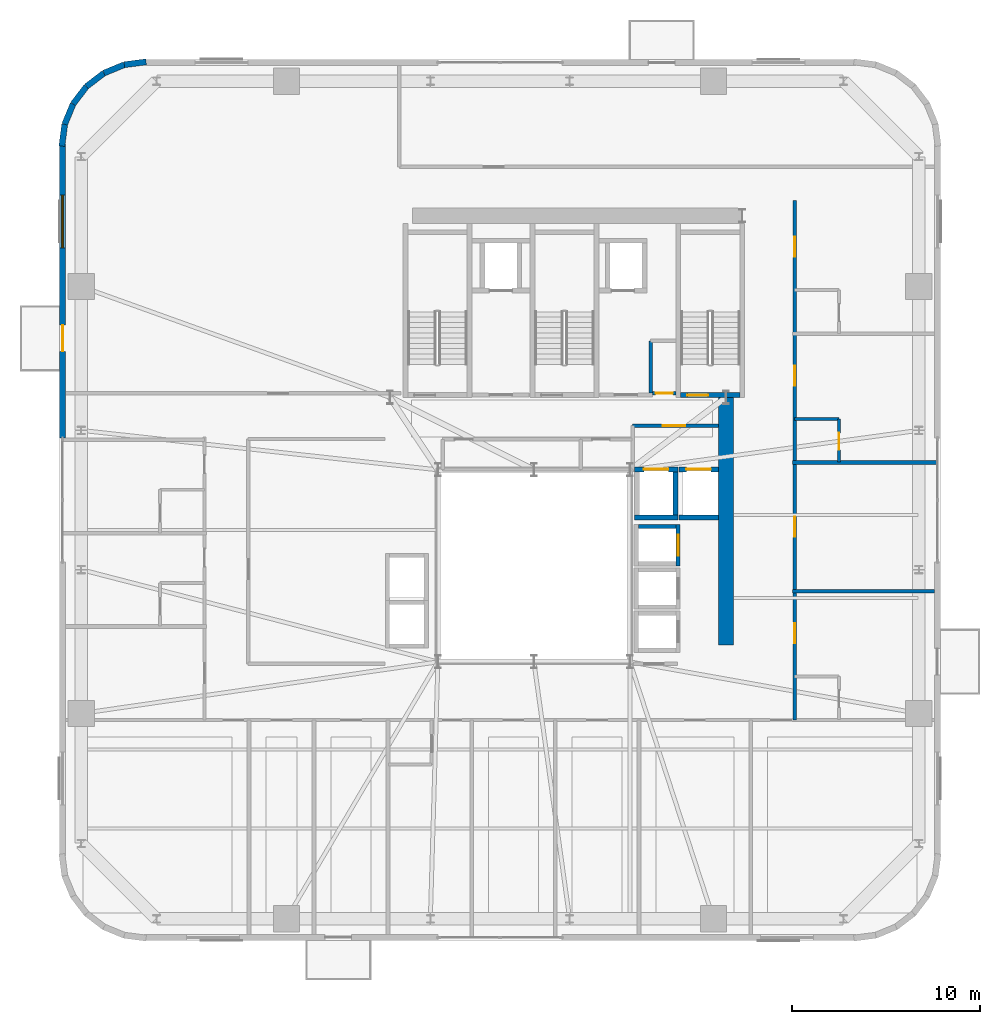
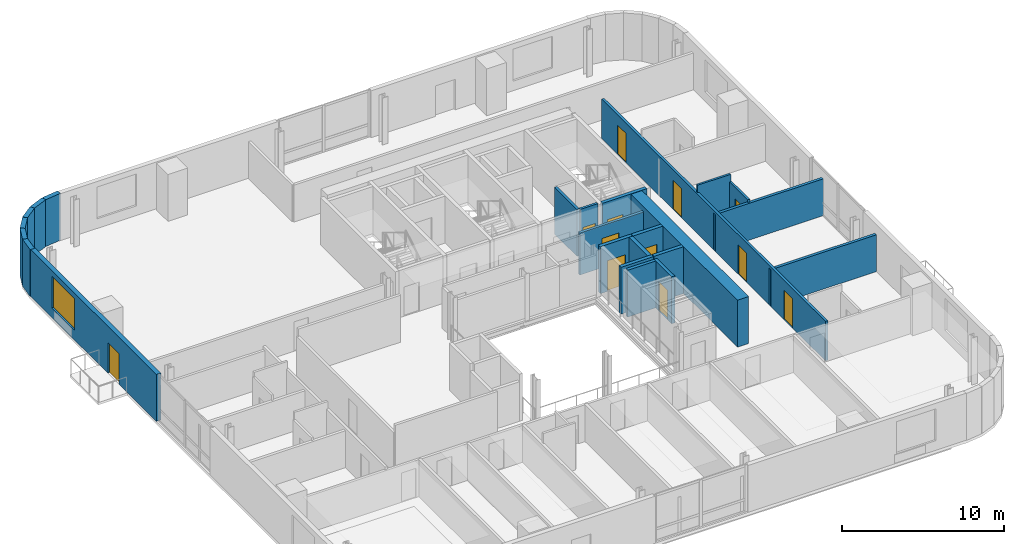
# One storey, part 10 of 16: 24 walls, 12 doors, 1 window, 13 openings.
"""IFC4 building model written with IfcOpenShell, lengths in metres."""

from ifc_helpers import new_model, si_unit, direction, frame, frame_2d, origin, place, context, subcontext, project, spatial, rectangle, extrude, source, transform, mapped, material, layer, layer_set, type_object, element, fill, save


model = new_model("IFC4")

# Units and contexts
model_context = context("Model", 3, precision=1e-05, world=origin(), true_north=direction((0.0, 1.0)))
body_context = subcontext(model_context, "Body", "Model", "MODEL_VIEW")
ifc_project = project(units=[si_unit("LENGTHUNIT", "METRE"), si_unit("AREAUNIT", "SQUARE_METRE"), si_unit("VOLUMEUNIT", "CUBIC_METRE"), si_unit("PLANEANGLEUNIT", "RADIAN"), si_unit("MASSUNIT", "GRAM", prefix="KILO")], contexts=[model_context])

# Site, building, storey
site_placement = place(None, origin())
site = spatial("IfcSite", under=ifc_project, at=site_placement, CompositionType="ELEMENT")
building_placement = place(site_placement, origin())
building = spatial("IfcBuilding", under=site, at=building_placement, Name="Vardaveli Station Tower", CompositionType="ELEMENT")
storey_placement = place(building_placement, frame((0.0, 0.0, 211.050048828125)))
storey = spatial("IfcBuildingStorey", under=building, at=storey_placement, Name="L54", CompositionType="ELEMENT", Elevation=211.050048828125)

# Wall
ifc_material_1 = material(Name="Concrete C50/60", Category="concrete")
ifc_layer_1 = layer(ifc_material_1, 0.800048828125, Name="Concrete C50/60")
ifc_layer_set_1 = layer_set([ifc_layer_1], Name="Concrete C50/60")
wall_type_1 = type_object("IfcWallType", Name="WAL-CORE-800", PredefinedType="SHEAR", material=ifc_layer_set_1)
shared_shape_1 = source(origin(), body_context, "Body", "SweptSolid", [
    extrude(rectangle(XDim=13.14990234375, YDim=0.800048828125, at=frame_2d((6.574951171875, 0.0))), origin(), (0.0, 0.0, 1.0), 3.530029296875),
])
wall_1_placement = place(storey_placement, frame((46.5, 17.5, 0.0), z_axis=(0.0, 0.0, 1.0), x_axis=(0.0, 1.0, 0.0)))
element("IfcWall", 1, at=wall_1_placement, inside=storey, type_object=wall_type_1, Name="SW-L54-EAST2", PredefinedType="SHEAR", context=body_context, shape_type="MappedRepresentation", body=[
    mapped(shared_shape_1, transform((0.0, 0.0, 0.0), scale=1.0)),
])

# Wall, openings, door, window
ifc_material_2 = material(Name="Precast concrete C45/55", Category="concrete")
ifc_layer_2 = layer(ifc_material_2, 0.320068359375, Name="Precast concrete C45/55")
ifc_layer_set_2 = layer_set([ifc_layer_2], Name="Precast concrete C45/55")
wall_type_2 = type_object("IfcWallType", Name="WAL-EXT-STONE-320", PredefinedType="SOLIDWALL", material=ifc_layer_set_2)
shared_shape_2 = source(origin(), body_context, "Body", "SweptSolid", [
    extrude(rectangle(XDim=15.60009765625, YDim=0.320068359375, at=frame_2d((7.800048828125, 0.0))), origin(), (0.0, 0.0, 1.0), 3.530029296875),
])
wall_2_placement = place(storey_placement, frame((11.260009765625, 44.10009765625, 0.0), z_axis=(0.0, 0.0, 1.0), x_axis=(0.0, -1.0, 0.0)))
wall_2 = element("IfcWall", 2, at=wall_2_placement, inside=storey, type_object=wall_type_2, Name="EW-L54-W1", PredefinedType="SOLIDWALL", context=body_context, shape_type="MappedRepresentation", body=[
    mapped(shared_shape_2, transform((0.0, 0.0, 0.0), scale=1.0)),
])
shared_shape_3 = source(origin(), body_context, "Body", "SweptSolid", [
    extrude(rectangle(XDim=1.39990234375, YDim=2.300048828125, at=frame_2d((0.699951171875, 1.14990234375))), frame((0.0, 0.169921875, 0.0), z_axis=(0.0, -1.0, 0.0), x_axis=(1.0, 0.0, 0.0)), (0.0, 0.0, 1.0), 0.340087890625),
])
opening_1_placement = place(wall_2_placement, frame((9.6103515625, 0.0, 0.0)))
opening_1 = element("IfcOpeningElement", 3, at=opening_1_placement, cuts=wall_2, Name="Opening D-09", PredefinedType="OPENING", context=body_context, shape_type="MappedRepresentation", body=[
    mapped(shared_shape_3, transform((0.0, 0.0, 0.0), scale=1.0)),
])
shared_shape_4 = source(origin(), body_context, "Body", "SweptSolid", [
    extrude(rectangle(XDim=2.800048828125, YDim=2.39990234375, at=frame_2d((1.39990234375, 1.199951171875))), frame((0.0, 0.169921875, 0.0), z_axis=(0.0, -1.0, 0.0), x_axis=(1.0, 0.0, 0.0)), (0.0, 0.0, 1.0), 0.340087890625),
])
opening_2_placement = place(wall_2_placement, frame((2.705078125, 0.0, 0.719970703125)))
opening_2 = element("IfcOpeningElement", 4, at=opening_2_placement, cuts=wall_2, Name="Opening W-04", PredefinedType="OPENING", context=body_context, shape_type="MappedRepresentation", body=[
    mapped(shared_shape_4, transform((0.0, 0.0, 0.0), scale=1.0)),
])
ifc_material_3 = material(Name="Thermally broken aluminium glass", Category="aluminium")
door_type_1 = type_object("IfcDoorType", Name="DR-LOG-1400x2300", OperationType="DOUBLE_DOOR_SLIDING", PredefinedType="DOOR", material=ifc_material_3)
shared_shape_5 = source(origin(), body_context, "Body", "SweptSolid", [
    extrude(rectangle(XDim=1.39990234375, YDim=2.300048828125, at=frame_2d((0.699951171875, 1.14990234375))), frame((0.0, 0.02490234375, 0.0), z_axis=(0.0, -1.0, 0.0), x_axis=(1.0, 0.0, 0.0)), (0.0, 0.0, 1.0), 0.050048828125),
])
door_1_placement = place(opening_1_placement, frame((1.39990234375, 0.0, 0.0), z_axis=(0.0, 0.0, 1.0), x_axis=(-1.0, 0.0, 0.0)))
door_1 = element("IfcDoor", 5, at=door_1_placement, inside=storey, type_object=door_type_1, Name="DLG-L54-W", OperationType="DOUBLE_DOOR_SLIDING", OverallHeight=2.300048828125, OverallWidth=1.39990234375, PredefinedType="DOOR", context=body_context, shape_type="MappedRepresentation", body=[
    mapped(shared_shape_5, transform((0.0, 0.0, 0.0), scale=1.0)),
])
fill(opening_1, door_1)
ifc_material_4 = material(Name="Low-E solar-control glass", Category="glass")
window_type = type_object("IfcWindowType", Name="WIN-SUITE-2800x2400", PartitioningType="SINGLE_PANEL", PredefinedType="WINDOW", material=ifc_material_4)
shared_shape_6 = source(origin(), body_context, "Body", "SweptSolid", [
    extrude(rectangle(XDim=2.800048828125, YDim=2.39990234375, at=frame_2d((1.39990234375, 1.199951171875))), frame((0.0, 0.030029296875, 0.0), z_axis=(0.0, -1.0, 0.0), x_axis=(1.0, 0.0, 0.0)), (0.0, 0.0, 1.0), 0.06005859375),
])
window_placement = place(opening_2_placement, origin())
window = element("IfcWindow", 6, at=window_placement, inside=storey, type_object=window_type, Name="WN-L54-W1", OverallHeight=2.39990234375, OverallWidth=2.800048828125, PartitioningType="SINGLE_PANEL", PredefinedType="WINDOW", context=body_context, shape_type="MappedRepresentation", body=[
    mapped(shared_shape_6, transform((0.0, 0.0, 0.0), scale=1.0)),
])
fill(opening_2, window)

# Walls
shared_shape_7 = source(origin(), body_context, "Body", "SweptSolid", [
    extrude(rectangle(XDim=1.1689453125, YDim=0.320068359375, at=frame_2d((0.58447265625, 0.0))), origin(), (0.0, 0.0, 1.0), 3.530029296875),
])
wall_3_placement = place(storey_placement, frame((12.53125, 47.1689453125, 0.0), z_axis=(0.0, 0.0, 1.0), x_axis=(-0.608387696831, -0.793639975269, 0.0)))
element("IfcWall", 7, at=wall_3_placement, inside=storey, type_object=wall_type_2, Name="EW-L54-CR4-4", PredefinedType="SOLIDWALL", context=body_context, shape_type="MappedRepresentation", body=[
    mapped(shared_shape_7, transform((0.0, 0.0, 0.0), scale=1.0)),
])
shared_shape_8 = source(origin(), body_context, "Body", "SweptSolid", [
    extrude(rectangle(XDim=1.168701171875, YDim=0.320068359375, at=frame_2d((0.58447265625, 0.0))), origin(), (0.0, 0.0, 1.0), 3.530029296875),
])
wall_4_placement = place(storey_placement, frame((13.458740234375, 47.8798828125, 0.0), z_axis=(0.0, 0.0, 1.0), x_axis=(-0.793663520347, -0.608356981114, 0.0)))
element("IfcWall", 8, at=wall_4_placement, inside=storey, type_object=wall_type_2, Name="EW-L54-CR4-3", PredefinedType="SOLIDWALL", context=body_context, shape_type="MappedRepresentation", body=[
    mapped(shared_shape_8, transform((0.0, 0.0, 0.0), scale=1.0)),
])
shared_shape_9 = source(origin(), body_context, "Body", "SweptSolid", [
    extrude(rectangle(XDim=1.17041015625, YDim=0.320068359375, at=frame_2d((0.585205078125, 0.0))), origin(), (0.0, 0.0, 1.0), 3.530029296875),
])
for number, where, z_axis, x_axis, name in (
    (9, (15.700439453125, 48.4755859375, 0.0), (0.0, 0.0, 1.0), (-0.991735963317, -0.128295670475, 0.0), "EW-L54-CR4-1"),
    (10, (11.37451171875, 45.16015625, 0.0), (0.0, 0.0, 1.0), (-0.128295670475, -0.991735963317, 0.0), "EW-L54-CR4-6"),
):
    element("IfcWall", number, at=place(storey_placement, frame(where, z_axis=z_axis, x_axis=x_axis)), inside=storey, type_object=wall_type_2, Name=name, PredefinedType="SOLIDWALL", context=body_context, shape_type="MappedRepresentation", body=[
        mapped(shared_shape_9, transform((0.0, 0.0, 0.0), scale=1.0)),
    ])
shared_shape_10 = source(origin(), body_context, "Body", "SweptSolid", [
    extrude(rectangle(XDim=1.169189453125, YDim=0.320068359375, at=frame_2d((0.58447265625, 0.0))), origin(), (0.0, 0.0, 1.0), 3.530029296875),
])
for number, where, z_axis, x_axis, name in (
    (11, (14.539794921875, 48.325439453125, 0.0), (0.0, 0.0, 1.0), (-0.924552646638, -0.381054331552, 0.0), "EW-L54-CR4-2"),
    (12, (11.820068359375, 46.2412109375, 0.0), (0.0, 0.0, 1.0), (-0.381054331552, -0.924552646638, 0.0), "EW-L54-CR4-5"),
):
    element("IfcWall", number, at=place(storey_placement, frame(where, z_axis=z_axis, x_axis=x_axis)), inside=storey, type_object=wall_type_2, Name=name, PredefinedType="SOLIDWALL", context=body_context, shape_type="MappedRepresentation", body=[
        mapped(shared_shape_10, transform((0.0, 0.0, 0.0), scale=1.0)),
    ])

# Wall, opening, door
ifc_material_5 = material(Name="Concrete C40/50", Category="concrete")
ifc_layer_3 = layer(ifc_material_5, 0.25, Name="Concrete C40/50")
ifc_layer_set_3 = layer_set([ifc_layer_3], Name="Concrete C40/50")
wall_type_3 = type_object("IfcWallType", Name="WAL-SHAFT-250", PredefinedType="SOLIDWALL", material=ifc_layer_set_3)
shared_shape_11 = source(origin(), body_context, "Body", "SweptSolid", [
    extrude(rectangle(XDim=3.14990234375, YDim=0.25, at=frame_2d((1.574951171875, 0.0))), origin(), (0.0, 0.0, 1.0), 3.550048828125),
])
wall_5_placement = place(storey_placement, frame((44.10009765625, 30.77490234375, 0.0), z_axis=(0.0, 0.0, 1.0), x_axis=(1.0, 0.0, 0.0)))
wall_5 = element("IfcWall", 13, at=wall_5_placement, inside=storey, type_object=wall_type_3, Name="W-L54-ST-3S", PredefinedType="SOLIDWALL", context=body_context, shape_type="MappedRepresentation", body=[
    mapped(shared_shape_11, transform((0.0, 0.0, 0.0), scale=1.0)),
])
shared_shape_12 = source(origin(), body_context, "Body", "SweptSolid", [
    extrude(rectangle(XDim=1.10009765625, YDim=2.199951171875, at=frame_2d((0.550048828125, 1.10009765625))), frame((0.0, 0.135009765625, 0.0), z_axis=(0.0, -1.0, 0.0), x_axis=(1.0, 0.0, 0.0)), (0.0, 0.0, 1.0), 0.27001953125),
])
opening_3_placement = place(wall_5_placement, frame((0.35009765625, 0.0, 0.0)))
opening_3 = element("IfcOpeningElement", 14, at=opening_3_placement, cuts=wall_5, Name="Opening D-04", PredefinedType="OPENING", context=body_context, shape_type="MappedRepresentation", body=[
    mapped(shared_shape_12, transform((0.0, 0.0, 0.0), scale=1.0)),
])
ifc_material_6 = material(Name="Steel smokeproof fire doorset", Category="steel")
door_type_2 = type_object("IfcDoorType", Name="DR-ST-1100x2200", OperationType="NOTDEFINED", PredefinedType="DOOR", material=ifc_material_6)
shared_shape_13 = source(origin(), body_context, "Body", "SweptSolid", [
    extrude(rectangle(XDim=1.10009765625, YDim=2.199951171875, at=frame_2d((0.550048828125, 1.10009765625))), frame((0.0, 0.02490234375, 0.0), z_axis=(0.0, -1.0, 0.0), x_axis=(1.0, 0.0, 0.0)), (0.0, 0.0, 1.0), 0.050048828125),
])
door_2_placement = place(opening_3_placement, origin())
door_2 = element("IfcDoor", 15, at=door_2_placement, inside=storey, type_object=door_type_2, Name="DST-3-L54", OperationType="SINGLE_SWING_LEFT", OverallHeight=2.199951171875, OverallWidth=1.10009765625, PredefinedType="DOOR", context=body_context, shape_type="MappedRepresentation", body=[
    mapped(shared_shape_13, transform((0.0, 0.0, 0.0), scale=1.0)),
])
fill(opening_3, door_2)

# Wall
ifc_layer_4 = layer(ifc_material_5, 0.219970703125, Name="Concrete C40/50")
ifc_layer_set_4 = layer_set([ifc_layer_4], Name="Concrete C40/50")
wall_type_4 = type_object("IfcWallType", Name="WAL-FFLOBBY-220", PredefinedType="SOLIDWALL", material=ifc_layer_set_4)
shared_shape_14 = source(origin(), body_context, "Body", "SweptSolid", [
    extrude(rectangle(XDim=2.0, YDim=0.219970703125, at=frame_2d((1.0, 0.0))), origin(), (0.0, 0.0, 1.0), 3.530029296875),
])
wall_6_placement = place(storey_placement, frame((41.85009765625, 23.784912109375, 0.0), z_axis=(0.0, 0.0, 1.0), x_axis=(1.0, 0.0, 0.0)))
element("IfcWall", 16, at=wall_6_placement, inside=storey, type_object=wall_type_4, Name="SHW-HL3-01-L54-N", PredefinedType="SOLIDWALL", context=body_context, shape_type="MappedRepresentation", body=[
    mapped(shared_shape_14, transform((0.0, 0.0, 0.0), scale=1.0)),
])

# Wall, opening, door
shared_shape_15 = source(origin(), body_context, "Body", "SweptSolid", [
    extrude(rectangle(XDim=2.18994140625, YDim=0.219970703125, at=frame_2d((1.094970703125, 0.0))), origin(), (0.0, 0.0, 1.0), 3.530029296875),
])
wall_7_placement = place(storey_placement, frame((43.9599609375, 21.705078125, 0.0), z_axis=(0.0, 0.0, 1.0), x_axis=(0.0, 1.0, 0.0)))
wall_7 = element("IfcWall", 17, at=wall_7_placement, inside=storey, type_object=wall_type_4, Name="SHW-HL3-01-L54-E", PredefinedType="SOLIDWALL", context=body_context, shape_type="MappedRepresentation", body=[
    mapped(shared_shape_15, transform((0.0, 0.0, 0.0), scale=1.0)),
])
shared_shape_16 = source(origin(), body_context, "Body", "SweptSolid", [
    extrude(rectangle(XDim=1.10009765625, YDim=2.199951171875, at=frame_2d((0.550048828125, 1.10009765625))), frame((0.0, 0.1201171875, 0.0), z_axis=(0.0, -1.0, 0.0), x_axis=(1.0, 0.0, 0.0)), (0.0, 0.0, 1.0), 0.239990234375),
])
opening_4_placement = place(wall_7_placement, frame((0.544921875, 0.0, 0.0)))
opening_4 = element("IfcOpeningElement", 18, at=opening_4_placement, cuts=wall_7, Name="Opening LD-01", PredefinedType="OPENING", context=body_context, shape_type="MappedRepresentation", body=[
    mapped(shared_shape_16, transform((0.0, 0.0, 0.0), scale=1.0)),
])
ifc_material_7 = material(Name="Brushed stainless steel", Category="steel")
door_type_3 = type_object("IfcDoorType", Name="DR-LD-1100x2200", OperationType="DOUBLE_DOOR_SLIDING", PredefinedType="DOOR", material=ifc_material_7)
door_3_placement = place(opening_4_placement, origin())
door_3 = element("IfcDoor", 19, at=door_3_placement, inside=storey, type_object=door_type_3, Name="LD-HL3-01-L54", OperationType="DOUBLE_DOOR_SLIDING", OverallHeight=2.199951171875, OverallWidth=1.10009765625, PredefinedType="DOOR", context=body_context, shape_type="MappedRepresentation", body=[
    mapped(shared_shape_13, transform((0.0, 0.0, 0.0), scale=1.0)),
])
fill(opening_4, door_3)

# Wall
shared_shape_17 = source(origin(), body_context, "Body", "SweptSolid", [
    extrude(rectangle(XDim=2.300048828125, YDim=0.25, at=frame_2d((1.14990234375, 0.0))), origin(), (0.0, 0.0, 1.0), 3.530029296875),
])
wall_8_placement = place(storey_placement, frame((41.64990234375, 24.27490234375, 0.0), z_axis=(0.0, 0.0, 1.0), x_axis=(1.0, 0.0, 0.0)))
element("IfcWall", 20, at=wall_8_placement, inside=storey, type_object=wall_type_3, Name="SHW-SRV-01-L54-S", PredefinedType="SOLIDWALL", context=body_context, shape_type="MappedRepresentation", body=[
    mapped(shared_shape_17, transform((0.0, 0.0, 0.0), scale=1.0)),
])

# Wall, opening, door
wall_9_placement = place(storey_placement, frame((41.64990234375, 26.824951171875, 0.0), z_axis=(0.0, 0.0, 1.0), x_axis=(1.0, 0.0, 0.0)))
wall_9 = element("IfcWall", 21, at=wall_9_placement, inside=storey, type_object=wall_type_3, Name="SHW-SRV-01-L54-N", PredefinedType="SOLIDWALL", context=body_context, shape_type="MappedRepresentation", body=[
    mapped(shared_shape_17, transform((0.0, 0.0, 0.0), scale=1.0)),
])
shared_shape_18 = source(origin(), body_context, "Body", "SweptSolid", [
    extrude(rectangle(XDim=1.300048828125, YDim=2.300048828125, at=frame_2d((0.64990234375, 1.14990234375))), frame((0.0, 0.135009765625, 0.0), z_axis=(0.0, -1.0, 0.0), x_axis=(1.0, 0.0, 0.0)), (0.0, 0.0, 1.0), 0.27001953125),
])
opening_5_placement = place(wall_9_placement, frame((0.5, 0.0, 0.0)))
opening_5 = element("IfcOpeningElement", 22, at=opening_5_placement, cuts=wall_9, Name="Opening LD-03", PredefinedType="OPENING", context=body_context, shape_type="MappedRepresentation", body=[
    mapped(shared_shape_18, transform((0.0, 0.0, 0.0), scale=1.0)),
])
door_type_4 = type_object("IfcDoorType", Name="DR-LD-1300x2300", OperationType="DOUBLE_DOOR_SLIDING", PredefinedType="DOOR", material=ifc_material_7)
shared_shape_19 = source(origin(), body_context, "Body", "SweptSolid", [
    extrude(rectangle(XDim=1.300048828125, YDim=2.300048828125, at=frame_2d((0.64990234375, 1.14990234375))), frame((0.0, 0.02490234375, 0.0), z_axis=(0.0, -1.0, 0.0), x_axis=(1.0, 0.0, 0.0)), (0.0, 0.0, 1.0), 0.050048828125),
])
door_4_placement = place(opening_5_placement, origin())
door_4 = element("IfcDoor", 23, at=door_4_placement, inside=storey, type_object=door_type_4, Name="LD-SRV-01-L54", OperationType="DOUBLE_DOOR_SLIDING", OverallHeight=2.300048828125, OverallWidth=1.300048828125, PredefinedType="DOOR", context=body_context, shape_type="MappedRepresentation", body=[
    mapped(shared_shape_19, transform((0.0, 0.0, 0.0), scale=1.0)),
])
fill(opening_5, door_4)

# Walls
wall_10_placement = place(storey_placement, frame((43.824951171875, 24.39990234375, 0.0), z_axis=(0.0, 0.0, 1.0), x_axis=(0.0, 1.0, 0.0)))
element("IfcWall", 24, at=wall_10_placement, inside=storey, type_object=wall_type_3, Name="SHW-SRV-01-L54-E", PredefinedType="SOLIDWALL", context=body_context, shape_type="MappedRepresentation", body=[
    mapped(shared_shape_17, transform((0.0, 0.0, 0.0), scale=1.0)),
])
shared_shape_20 = source(origin(), body_context, "Body", "SweptSolid", [
    extrude(rectangle(XDim=2.10009765625, YDim=0.25, at=frame_2d((1.050048828125, 0.0))), origin(), (0.0, 0.0, 1.0), 3.530029296875),
])
wall_11_placement = place(storey_placement, frame((44.0, 24.27490234375, 0.0), z_axis=(0.0, 0.0, 1.0), x_axis=(1.0, 0.0, 0.0)))
element("IfcWall", 25, at=wall_11_placement, inside=storey, type_object=wall_type_3, Name="SHW-SRV-02-L54-S", PredefinedType="SOLIDWALL", context=body_context, shape_type="MappedRepresentation", body=[
    mapped(shared_shape_20, transform((0.0, 0.0, 0.0), scale=1.0)),
])

# Wall, opening, door
wall_12_placement = place(storey_placement, frame((44.0, 26.824951171875, 0.0), z_axis=(0.0, 0.0, 1.0), x_axis=(1.0, 0.0, 0.0)))
wall_12 = element("IfcWall", 26, at=wall_12_placement, inside=storey, type_object=wall_type_3, Name="SHW-SRV-02-L54-N", PredefinedType="SOLIDWALL", context=body_context, shape_type="MappedRepresentation", body=[
    mapped(shared_shape_20, transform((0.0, 0.0, 0.0), scale=1.0)),
])
opening_6_placement = place(wall_12_placement, frame((0.39990234375, 0.0, 0.0)))
opening_6 = element("IfcOpeningElement", 27, at=opening_6_placement, cuts=wall_12, Name="Opening LD-03", PredefinedType="OPENING", context=body_context, shape_type="MappedRepresentation", body=[
    mapped(shared_shape_18, transform((0.0, 0.0, 0.0), scale=1.0)),
])
door_5_placement = place(opening_6_placement, origin())
door_5 = element("IfcDoor", 28, at=door_5_placement, inside=storey, type_object=door_type_4, Name="LD-SRV-02-L54", OperationType="DOUBLE_DOOR_SLIDING", OverallHeight=2.300048828125, OverallWidth=1.300048828125, PredefinedType="DOOR", context=body_context, shape_type="MappedRepresentation", body=[
    mapped(shared_shape_19, transform((0.0, 0.0, 0.0), scale=1.0)),
])
fill(opening_6, door_5)

# Wall, openings, doors
ifc_material_8 = material(Name="Fire-rated gypsum stud partition")
ifc_layer_5 = layer(ifc_material_8, 0.179931640625, Name="Fire-rated gypsum stud partition")
ifc_layer_set_5 = layer_set([ifc_layer_5], Name="Fire-rated gypsum stud partition")
wall_type_5 = type_object("IfcWallType", Name="WAL-CORR-180", PredefinedType="PARTITIONING", material=ifc_layer_set_5)
shared_shape_21 = source(origin(), body_context, "Body", "SweptSolid", [
    extrude(rectangle(XDim=27.590087890625, YDim=0.179931640625, at=frame_2d((13.794921875, 0.0))), origin(), (0.0, 0.0, 1.0), 2.971923828125),
])
wall_13_placement = place(storey_placement, frame((50.14990234375, 13.510009765625, 0.0), z_axis=(0.0, 0.0, 1.0), x_axis=(0.0, 1.0, 0.0)))
wall_13 = element("IfcWall", 29, at=wall_13_placement, inside=storey, type_object=wall_type_5, Name="W-L54-CE", PredefinedType="PARTITIONING", context=body_context, shape_type="MappedRepresentation", body=[
    mapped(shared_shape_21, transform((0.0, 0.0, 0.0), scale=1.0)),
])
shared_shape_22 = source(origin(), body_context, "Body", "SweptSolid", [
    extrude(rectangle(XDim=1.050048828125, YDim=2.199951171875, at=frame_2d((0.52490234375, 1.10009765625))), frame((0.0, 0.10009765625, 0.0), z_axis=(0.0, -1.0, 0.0), x_axis=(1.0, 0.0, 0.0)), (0.0, 0.0, 1.0), 0.199951171875),
])
opening_7_placement = place(wall_13_placement, frame((4.086181640625, 0.0, 0.0)))
opening_7 = element("IfcOpeningElement", 30, at=opening_7_placement, cuts=wall_13, Name="Opening D-05", PredefinedType="OPENING", context=body_context, shape_type="MappedRepresentation", body=[
    mapped(shared_shape_22, transform((0.0, 0.0, 0.0), scale=1.0)),
])
opening_8_placement = place(wall_13_placement, frame((9.743896484375, 0.0, 0.0)))
opening_8 = element("IfcOpeningElement", 31, at=opening_8_placement, cuts=wall_13, Name="Opening D-05", PredefinedType="OPENING", context=body_context, shape_type="MappedRepresentation", body=[
    mapped(shared_shape_22, transform((0.0, 0.0, 0.0), scale=1.0)),
])
opening_9_placement = place(wall_13_placement, frame((17.771240234375, 0.0, 0.0)))
opening_9 = element("IfcOpeningElement", 32, at=opening_9_placement, cuts=wall_13, Name="Opening D-05", PredefinedType="OPENING", context=body_context, shape_type="MappedRepresentation", body=[
    mapped(shared_shape_22, transform((0.0, 0.0, 0.0), scale=1.0)),
])
opening_10_placement = place(wall_13_placement, frame((24.61376953125, 0.0, 0.0)))
opening_10 = element("IfcOpeningElement", 33, at=opening_10_placement, cuts=wall_13, Name="Opening D-05", PredefinedType="OPENING", context=body_context, shape_type="MappedRepresentation", body=[
    mapped(shared_shape_22, transform((0.0, 0.0, 0.0), scale=1.0)),
])
ifc_material_9 = material(Name="Walnut veneer acoustic fire door")
door_type_5 = type_object("IfcDoorType", Name="DR-SUITE-1050x2200", OperationType="NOTDEFINED", PredefinedType="DOOR", material=ifc_material_9)
shared_shape_23 = source(origin(), body_context, "Body", "SweptSolid", [
    extrude(rectangle(XDim=1.050048828125, YDim=2.199951171875, at=frame_2d((0.52490234375, 1.10009765625))), frame((0.0, 0.02490234375, 0.0), z_axis=(0.0, -1.0, 0.0), x_axis=(1.0, 0.0, 0.0)), (0.0, 0.0, 1.0), 0.050048828125),
])
door_6_placement = place(opening_7_placement, origin())
door_6 = element("IfcDoor", 34, at=door_6_placement, inside=storey, type_object=door_type_5, Name="D-L54-GE1", OperationType="SINGLE_SWING_RIGHT", OverallHeight=2.199951171875, OverallWidth=1.050048828125, PredefinedType="DOOR", context=body_context, shape_type="MappedRepresentation", body=[
    mapped(shared_shape_23, transform((0.0, 0.0, 0.0), scale=1.0)),
])
fill(opening_7, door_6)
door_7_placement = place(opening_8_placement, origin())
door_7 = element("IfcDoor", 35, at=door_7_placement, inside=storey, type_object=door_type_5, Name="D-L54-GE2", OperationType="SINGLE_SWING_LEFT", OverallHeight=2.199951171875, OverallWidth=1.050048828125, PredefinedType="DOOR", context=body_context, shape_type="MappedRepresentation", body=[
    mapped(shared_shape_23, transform((0.0, 0.0, 0.0), scale=1.0)),
])
fill(opening_8, door_7)
door_8_placement = place(opening_9_placement, origin())
door_8 = element("IfcDoor", 36, at=door_8_placement, inside=storey, type_object=door_type_5, Name="D-L54-GE3", OperationType="SINGLE_SWING_RIGHT", OverallHeight=2.199951171875, OverallWidth=1.050048828125, PredefinedType="DOOR", context=body_context, shape_type="MappedRepresentation", body=[
    mapped(shared_shape_23, transform((0.0, 0.0, 0.0), scale=1.0)),
])
fill(opening_9, door_8)
door_9_placement = place(opening_10_placement, origin())
door_9 = element("IfcDoor", 37, at=door_9_placement, inside=storey, type_object=door_type_5, Name="D-L54-GE4", OperationType="SINGLE_SWING_LEFT", OverallHeight=2.199951171875, OverallWidth=1.050048828125, PredefinedType="DOOR", context=body_context, shape_type="MappedRepresentation", body=[
    mapped(shared_shape_23, transform((0.0, 0.0, 0.0), scale=1.0)),
])
fill(opening_10, door_9)

# Wall, opening, door
shared_shape_24 = source(origin(), body_context, "Body", "SweptSolid", [
    extrude(rectangle(XDim=4.5478515625, YDim=0.179931640625, at=frame_2d((2.27392578125, 0.0))), origin(), (0.0, 0.0, 1.0), 3.161865234375),
])
wall_14_placement = place(storey_placement, frame((41.550048828125, 29.14990234375, 0.0), z_axis=(0.0, 0.0, 1.0), x_axis=(1.0, 0.0, 0.0)))
wall_14 = element("IfcWall", 38, at=wall_14_placement, inside=storey, type_object=wall_type_5, Name="W-L54-SVFN", PredefinedType="PARTITIONING", context=body_context, shape_type="MappedRepresentation", body=[
    mapped(shared_shape_24, transform((0.0, 0.0, 0.0), scale=1.0)),
])
shared_shape_25 = source(origin(), body_context, "Body", "SweptSolid", [
    extrude(rectangle(XDim=1.199951171875, YDim=2.199951171875, at=frame_2d((0.60009765625, 1.10009765625))), frame((0.0, 0.10009765625, 0.0), z_axis=(0.0, -1.0, 0.0), x_axis=(1.0, 0.0, 0.0)), (0.0, 0.0, 1.0), 0.199951171875),
])
opening_11_placement = place(wall_14_placement, frame((1.60009765625, 0.0, 0.0)))
opening_11 = element("IfcOpeningElement", 39, at=opening_11_placement, cuts=wall_14, Name="Opening D-03", PredefinedType="OPENING", context=body_context, shape_type="MappedRepresentation", body=[
    mapped(shared_shape_25, transform((0.0, 0.0, 0.0), scale=1.0)),
])
door_type_6 = type_object("IfcDoorType", Name="DR-FFL-1200x2200", OperationType="NOTDEFINED", PredefinedType="DOOR", material=ifc_material_6)
shared_shape_26 = source(origin(), body_context, "Body", "SweptSolid", [
    extrude(rectangle(XDim=1.199951171875, YDim=2.199951171875, at=frame_2d((0.60009765625, 1.10009765625))), frame((0.0, 0.02490234375, 0.0), z_axis=(0.0, -1.0, 0.0), x_axis=(1.0, 0.0, 0.0)), (0.0, 0.0, 1.0), 0.050048828125),
])
door_10_placement = place(opening_11_placement, origin())
door_10 = element("IfcDoor", 40, at=door_10_placement, inside=storey, type_object=door_type_6, Name="D-L54-SVF", OperationType="SINGLE_SWING_RIGHT", OverallHeight=2.199951171875, OverallWidth=1.199951171875, PredefinedType="DOOR", context=body_context, shape_type="MappedRepresentation", body=[
    mapped(shared_shape_26, transform((0.0, 0.0, 0.0), scale=1.0)),
])
fill(opening_11, door_10)

ifc_material_10 = material(Name="Moisture-resistant stud partition")
ifc_layer_6 = layer(ifc_material_10, 0.14990234375, Name="Moisture-resistant stud partition")
ifc_layer_set_6 = layer_set([ifc_layer_6], Name="Moisture-resistant stud partition")
wall_type_6 = type_object("IfcWallType", Name="WAL-WET-150", PredefinedType="PARTITIONING", material=ifc_layer_set_6)
shared_shape_27 = source(origin(), body_context, "Body", "SweptSolid", [
    extrude(rectangle(XDim=2.289794921875, YDim=0.14990234375, at=frame_2d((1.14501953125, 0.0))), origin(), (0.0, 0.0, 1.0), 2.971923828125),
])
wall_15_placement = place(storey_placement, frame((52.510009765625, 27.215087890625, 0.0), z_axis=(0.0, 0.0, 1.0), x_axis=(0.0, 1.0, 0.0)))
wall_15 = element("IfcWall", 41, at=wall_15_placement, inside=storey, type_object=wall_type_6, Name="W-L54-BE3-E", PredefinedType="PARTITIONING", context=body_context, shape_type="MappedRepresentation", body=[
    mapped(shared_shape_27, transform((0.0, 0.0, 0.0), scale=1.0)),
])
shared_shape_28 = source(origin(), body_context, "Body", "SweptSolid", [
    extrude(rectangle(XDim=0.89990234375, YDim=2.10009765625, at=frame_2d((0.449951171875, 1.050048828125))), frame((0.0, 0.0849609375, 0.0), z_axis=(0.0, -1.0, 0.0), x_axis=(1.0, 0.0, 0.0)), (0.0, 0.0, 1.0), 0.169921875),
])
opening_12_placement = place(wall_15_placement, frame((0.64990234375, 0.0, 0.0)))
opening_12 = element("IfcOpeningElement", 42, at=opening_12_placement, cuts=wall_15, Name="Opening D-08", PredefinedType="OPENING", context=body_context, shape_type="MappedRepresentation", body=[
    mapped(shared_shape_28, transform((0.0, 0.0, 0.0), scale=1.0)),
])
ifc_material_11 = material(Name="Moisture-resistant oak door")
door_type_7 = type_object("IfcDoorType", Name="DR-BATH-900x2100", OperationType="NOTDEFINED", PredefinedType="DOOR", material=ifc_material_11)
shared_shape_29 = source(origin(), body_context, "Body", "SweptSolid", [
    extrude(rectangle(XDim=0.89990234375, YDim=2.10009765625, at=frame_2d((0.449951171875, 1.050048828125))), frame((0.0, 0.02490234375, 0.0), z_axis=(0.0, -1.0, 0.0), x_axis=(1.0, 0.0, 0.0)), (0.0, 0.0, 1.0), 0.050048828125),
])
door_11_placement = place(opening_12_placement, origin())
door_11 = element("IfcDoor", 43, at=door_11_placement, inside=storey, type_object=door_type_7, Name="D-L54-BE3", OperationType="SINGLE_SWING_LEFT", OverallHeight=2.10009765625, OverallWidth=0.89990234375, PredefinedType="DOOR", context=body_context, shape_type="MappedRepresentation", body=[
    mapped(shared_shape_29, transform((0.0, 0.0, 0.0), scale=1.0)),
])
fill(opening_12, door_11)

shared_shape_30 = source(origin(), body_context, "Body", "SweptSolid", [
    extrude(rectangle(XDim=1.247802734375, YDim=0.179931640625, at=frame_2d((0.6240234375, 0.0))), origin(), (0.0, 0.0, 1.0), 3.530029296875),
])
wall_16_placement = place(storey_placement, frame((42.60009765625, 30.8798828125, 0.0), z_axis=(0.0, 0.0, 1.0), x_axis=(1.0, 0.0, 0.0)))
wall_16 = element("IfcWall", 44, at=wall_16_placement, inside=storey, type_object=wall_type_5, Name="W-L54-CBS0-S", PredefinedType="PARTITIONING", context=body_context, shape_type="MappedRepresentation", body=[
    mapped(shared_shape_30, transform((0.0, 0.0, 0.0), scale=1.0)),
])
shared_shape_31 = source(origin(), body_context, "Body", "SweptSolid", [
    extrude(rectangle(XDim=0.919921875, YDim=2.10009765625, at=frame_2d((0.4599609375, 1.050048828125))), frame((0.0, 0.10009765625, 0.0), z_axis=(0.0, -1.0, 0.0), x_axis=(1.0, 0.0, 0.0)), (0.0, 0.0, 1.0), 0.199951171875),
])
opening_13_placement = place(wall_16_placement, frame((0.1640625, 0.0, 0.0)))
opening_13 = element("IfcOpeningElement", 45, at=opening_13_placement, cuts=wall_16, Name="Opening D-07", PredefinedType="OPENING", context=body_context, shape_type="MappedRepresentation", body=[
    mapped(shared_shape_31, transform((0.0, 0.0, 0.0), scale=1.0)),
])
ifc_material_12 = material(Name="Moisture-resistant hardwood door", Category="wood")
door_type_8 = type_object("IfcDoorType", Name="DR-WC-920x2100", OperationType="NOTDEFINED", PredefinedType="DOOR", material=ifc_material_12)
shared_shape_32 = source(origin(), body_context, "Body", "SweptSolid", [
    extrude(rectangle(XDim=0.919921875, YDim=2.10009765625, at=frame_2d((0.4599609375, 1.050048828125))), frame((0.0, 0.02490234375, 0.0), z_axis=(0.0, -1.0, 0.0), x_axis=(1.0, 0.0, 0.0)), (0.0, 0.0, 1.0), 0.050048828125),
])
door_12_placement = place(opening_13_placement, origin())
door_12 = element("IfcDoor", 46, at=door_12_placement, inside=storey, type_object=door_type_8, Name="D-L54-CBS0", OperationType="SINGLE_SWING_LEFT", OverallHeight=2.10009765625, OverallWidth=0.919921875, PredefinedType="DOOR", context=body_context, shape_type="MappedRepresentation", body=[
    mapped(shared_shape_32, transform((0.0, 0.0, 0.0), scale=1.0)),
])
fill(opening_13, door_12)

# Walls
ifc_material_13 = material(Name="Acoustic twin-stud gypsum partition")
ifc_layer_7 = layer(ifc_material_13, 0.199951171875, Name="Acoustic twin-stud gypsum partition")
ifc_layer_set_7 = layer_set([ifc_layer_7], Name="Acoustic twin-stud gypsum partition")
wall_type_7 = type_object("IfcWallType", Name="WAL-PARTY-200", PredefinedType="PARTITIONING", material=ifc_layer_set_7)
shared_shape_33 = source(origin(), body_context, "Body", "SweptSolid", [
    extrude(rectangle(XDim=7.52783203125, YDim=0.199951171875, at=frame_2d((3.763916015625, 0.0))), origin(), (0.0, 0.0, 1.0), 2.77197265625),
])
wall_17_placement = place(storey_placement, frame((50.050048828125, 20.35205078125, 0.0), z_axis=(0.0, 0.0, 1.0), x_axis=(1.0, 0.0, 0.0)))
element("IfcWall", 47, at=wall_17_placement, inside=storey, type_object=wall_type_7, Name="W-L54-PE1", PredefinedType="PARTITIONING", context=body_context, shape_type="MappedRepresentation", body=[
    mapped(shared_shape_33, transform((0.0, 0.0, 0.0), scale=1.0)),
])
shared_shape_34 = source(origin(), body_context, "Body", "SweptSolid", [
    extrude(rectangle(XDim=7.719970703125, YDim=0.199951171875, at=frame_2d((3.85986328125, 0.0))), origin(), (0.0, 0.0, 1.0), 2.77197265625),
])
wall_18_placement = place(storey_placement, frame((50.050048828125, 27.195068359375, 0.0), z_axis=(0.0, 0.0, 1.0), x_axis=(1.0, 0.0, 0.0)))
element("IfcWall", 48, at=wall_18_placement, inside=storey, type_object=wall_type_7, Name="W-L54-PE2", PredefinedType="PARTITIONING", context=body_context, shape_type="MappedRepresentation", body=[
    mapped(shared_shape_34, transform((0.0, 0.0, 0.0), scale=1.0)),
])
shared_shape_35 = source(origin(), body_context, "Body", "SweptSolid", [
    extrude(rectangle(XDim=2.360107421875, YDim=0.14990234375, at=frame_2d((1.18017578125, 0.0))), origin(), (0.0, 0.0, 1.0), 3.530029296875),
])
wall_19_placement = place(storey_placement, frame((50.14990234375, 29.5048828125, 0.0), z_axis=(0.0, 0.0, 1.0), x_axis=(1.0, 0.0, 0.0)))
element("IfcWall", 49, at=wall_19_placement, inside=storey, type_object=wall_type_6, Name="W-L54-BE3-N", PredefinedType="PARTITIONING", context=body_context, shape_type="MappedRepresentation", body=[
    mapped(shared_shape_35, transform((0.0, 0.0, 0.0), scale=1.0)),
])
shared_shape_36 = source(origin(), body_context, "Body", "SweptSolid", [
    extrude(rectangle(XDim=2.7578125, YDim=0.179931640625, at=frame_2d((1.37890625, 0.0))), origin(), (0.0, 0.0, 1.0), 3.530029296875),
])
wall_20_placement = place(storey_placement, frame((42.5, 30.89208984375, 0.0), z_axis=(0.0, 0.0, 1.0), x_axis=(0.0, 1.0, 0.0)))
element("IfcWall", 50, at=wall_20_placement, inside=storey, type_object=wall_type_5, Name="W-L54-CBS0-W", PredefinedType="PARTITIONING", context=body_context, shape_type="MappedRepresentation", body=[
    mapped(shared_shape_36, transform((0.0, 0.0, 0.0), scale=1.0)),
])

save(model, "model.ifc")
